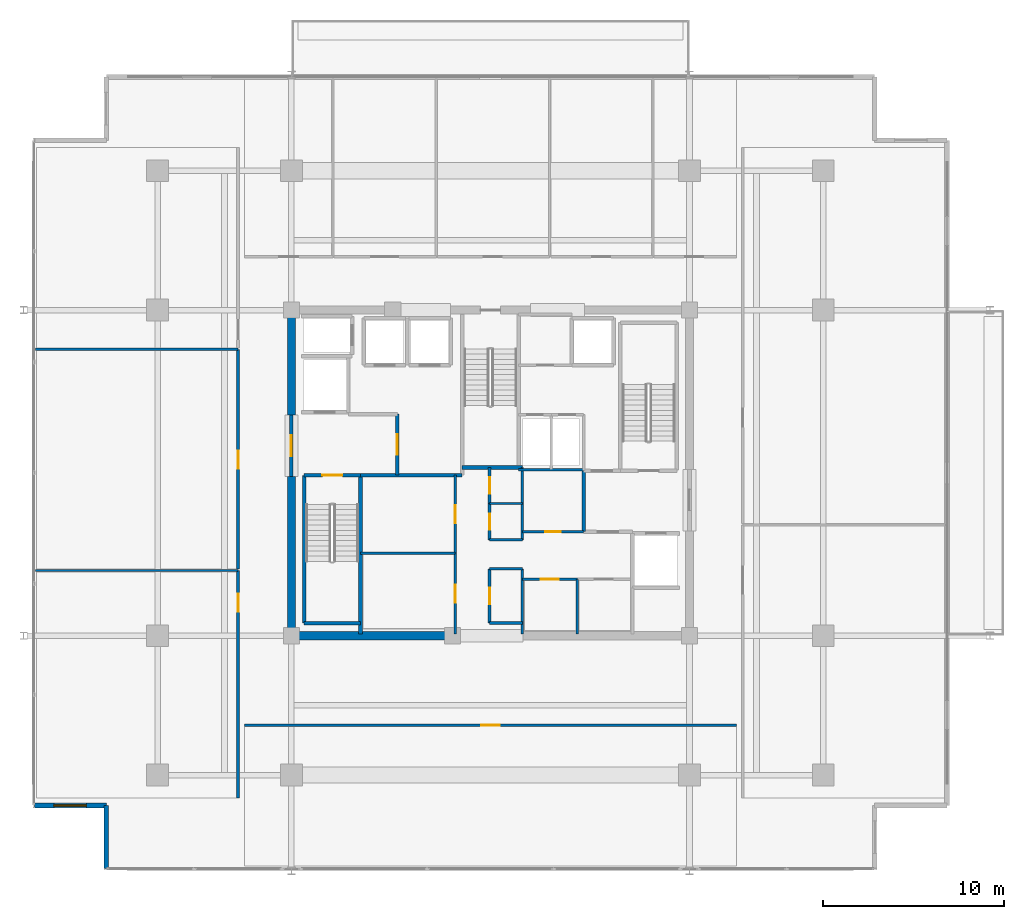
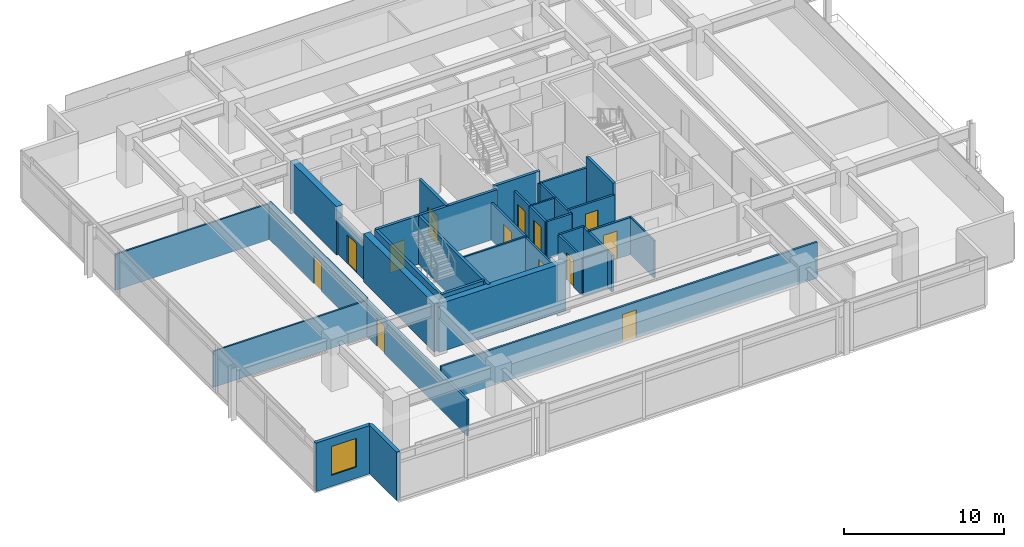
# One storey, part 13 of 20: 35 walls, 13 doors, 1 window, 14 openings.
"""IFC4 building model written with IfcOpenShell, lengths in metres."""

from ifc_helpers import new_model, si_unit, direction, frame, frame_2d, origin, place, context, subcontext, project, spatial, rectangle, extrude, material, layer, layer_set, type_object, element, fill, save


model = new_model("IFC4")

# Units and contexts
model_context = context("Model", 3, precision=1e-05, world=origin(), true_north=direction((0.0, 1.0)))
body_context = subcontext(model_context, "Body", "Model", "MODEL_VIEW")
ifc_project = project(units=[si_unit("LENGTHUNIT", "METRE"), si_unit("AREAUNIT", "SQUARE_METRE"), si_unit("VOLUMEUNIT", "CUBIC_METRE"), si_unit("PLANEANGLEUNIT", "RADIAN"), si_unit("MASSUNIT", "GRAM", prefix="KILO")], contexts=[model_context])

# Site, building, storey
site_placement = place(None, origin())
site = spatial("IfcSite", under=ifc_project, at=site_placement, CompositionType="ELEMENT")
building_placement = place(site_placement, origin())
building = spatial("IfcBuilding", under=site, at=building_placement, Name="Kovane Verandah Tower", CompositionType="ELEMENT")
storey_placement = place(building_placement, frame((0.0, 0.0, 291.199951171875)))
storey = spatial("IfcBuildingStorey", under=building, at=storey_placement, Name="L68", CompositionType="ELEMENT", Elevation=291.199951171875)

# Walls
ifc_material_1 = material(Name="Fire-Rated Gypsum Stud Partition", Category="gypsum")
ifc_layer_1 = layer(ifc_material_1, 0.14990234375)
ifc_layer_set_1 = layer_set([ifc_layer_1], Name="Fire-Rated Gypsum Stud Partition")
wall_type_1 = type_object("IfcWallType", Name="WL-COR-150", PredefinedType="PARTITIONING", material=ifc_layer_set_1)
for number, where, z_axis, x_axis, name in (
    (1, (39.949951171875, 19.199951171875, 0.0), (0.0, 0.0, 1.0), (1.0, 0.0, 0.0), "L68 Central Core Strip South Wall"),
    (2, (39.949951171875, 22.199951171875, 0.0), (0.0, 0.0, 1.0), (1.0, 0.0, 0.0), "L68 Core Cross-Passage South Wall"),
    (3, (39.949951171875, 23.800048828125, 0.0), (0.0, 0.0, 1.0), (1.0, 0.0, 0.0), "L68 Core Cross-Passage North Wall"),
):
    element("IfcWall", number, at=place(storey_placement, frame(where, z_axis=z_axis, x_axis=x_axis)), inside=storey, type_object=wall_type_1, Name=name, PredefinedType="PARTITIONING", context=body_context, shape_type="SweptSolid", body=[
        extrude(rectangle(XDim=1.81005859375, YDim=0.14990234375, at=frame_2d((0.905029296875, 0.0))), origin(), (0.0, 0.0, 1.0), 2.85009765625),
    ])
wall_1_placement = place(storey_placement, frame((41.760009765625, 18.60009765625, 0.0), z_axis=(0.0, 0.0, 1.0), x_axis=(0.0, 1.0, 0.0)))
element("IfcWall", 4, at=wall_1_placement, inside=storey, type_object=wall_type_1, Name="L68 Central Core Strip Lower East Wall", PredefinedType="PARTITIONING", context=body_context, shape_type="SweptSolid", body=[
    extrude(rectangle(XDim=3.599853515625, YDim=0.14990234375, at=frame_2d((1.7998046875, 0.0))), origin(), (0.0, 0.0, 1.0), 2.780029296875),
])
wall_2_placement = place(storey_placement, frame((41.760009765625, 23.800048828125, 0.0), z_axis=(0.0, 0.0, 1.0), x_axis=(0.0, 1.0, 0.0)))
element("IfcWall", 5, at=wall_2_placement, inside=storey, type_object=wall_type_1, Name="L68 Central Core Strip Upper East Wall", PredefinedType="PARTITIONING", context=body_context, shape_type="SweptSolid", body=[
    extrude(rectangle(XDim=4.0, YDim=0.14990234375, at=frame_2d((2.0, 0.0))), origin(), (0.0, 0.0, 1.0), 2.85009765625),
])

# Wall, opening, door
wall_3_placement = place(storey_placement, frame((39.949951171875, 19.199951171875, 0.0), z_axis=(0.0, 0.0, 1.0), x_axis=(0.0, 1.0, 0.0)))
wall_3 = element("IfcWall", 6, at=wall_3_placement, inside=storey, type_object=wall_type_1, Name="L68 Male Toilet Partition", PredefinedType="PARTITIONING", context=body_context, shape_type="SweptSolid", body=[
    extrude(rectangle(XDim=3.0, YDim=0.14990234375, at=frame_2d((1.5, 0.0))), origin(), (0.0, 0.0, 1.0), 2.85009765625),
])
opening_1_placement = place(wall_3_placement, frame((1.050048828125, 0.0, 0.0)))
opening_1 = element("IfcOpeningElement", 7, at=opening_1_placement, cuts=wall_3, Name="Opening DR-L68-029", PredefinedType="OPENING", context=body_context, shape_type="SweptSolid", body=[
    extrude(rectangle(XDim=0.89990234375, YDim=2.10009765625, at=frame_2d((0.449951171875, 1.050048828125))), frame((0.0, 0.074951171875, 0.0), z_axis=(0.0, -1.0, 0.0), x_axis=(1.0, 0.0, 0.0)), (0.0, 0.0, 1.0), 0.14990234375),
])
ifc_material_2 = material(Name="Moisture-Resistant Laminate Washroom Door", Category="wood")
door_type_1 = type_object("IfcDoorType", Name="DR-WC-900", OperationType="SINGLE_SWING_LEFT", PredefinedType="DOOR", material=ifc_material_2)
door_1_placement = place(opening_1_placement, origin())
door_1 = element("IfcDoor", 8, at=door_1_placement, inside=storey, type_object=door_type_1, Name="L68 Male Toilet Door", OperationType="SINGLE_SWING_RIGHT", OverallHeight=2.10009765625, OverallWidth=0.89990234375, PredefinedType="DOOR", context=body_context, shape_type="SweptSolid", body=[
    extrude(rectangle(XDim=0.89990234375, YDim=2.10009765625, at=frame_2d((0.449951171875, 1.050048828125))), frame((0.0, 0.02490234375, 0.0), z_axis=(0.0, -1.0, 0.0), x_axis=(1.0, 0.0, 0.0)), (0.0, 0.0, 1.0), 0.050048828125),
])
fill(opening_1, door_1)

wall_4_placement = place(storey_placement, frame((39.949951171875, 23.800048828125, 0.0), z_axis=(0.0, 0.0, 1.0), x_axis=(0.0, 1.0, 0.0)))
wall_4 = element("IfcWall", 9, at=wall_4_placement, inside=storey, type_object=wall_type_1, Name="L68 Female Toilet Partition", PredefinedType="PARTITIONING", context=body_context, shape_type="SweptSolid", body=[
    extrude(rectangle(XDim=2.0, YDim=0.14990234375, at=frame_2d((1.0, 0.0))), origin(), (0.0, 0.0, 1.0), 2.85009765625),
])
opening_2_placement = place(wall_4_placement, frame((0.550048828125, 0.0, 0.0)))
opening_2 = element("IfcOpeningElement", 10, at=opening_2_placement, cuts=wall_4, Name="Opening DR-L68-028", PredefinedType="OPENING", context=body_context, shape_type="SweptSolid", body=[
    extrude(rectangle(XDim=0.89990234375, YDim=2.10009765625, at=frame_2d((0.449951171875, 1.050048828125))), frame((0.0, 0.074951171875, 0.0), z_axis=(0.0, -1.0, 0.0), x_axis=(1.0, 0.0, 0.0)), (0.0, 0.0, 1.0), 0.14990234375),
])
door_2_placement = place(opening_2_placement, origin())
door_2 = element("IfcDoor", 11, at=door_2_placement, inside=storey, type_object=door_type_1, Name="L68 Female Toilet Door", OperationType="SINGLE_SWING_LEFT", OverallHeight=2.10009765625, OverallWidth=0.89990234375, PredefinedType="DOOR", context=body_context, shape_type="SweptSolid", body=[
    extrude(rectangle(XDim=0.89990234375, YDim=2.10009765625, at=frame_2d((0.449951171875, 1.050048828125))), frame((0.0, 0.02490234375, 0.0), z_axis=(0.0, -1.0, 0.0), x_axis=(1.0, 0.0, 0.0)), (0.0, 0.0, 1.0), 0.050048828125),
])
fill(opening_2, door_2)

wall_5_placement = place(storey_placement, frame((39.949951171875, 25.800048828125, 0.0), z_axis=(0.0, 0.0, 1.0), x_axis=(0.0, 1.0, 0.0)))
wall_5 = element("IfcWall", 12, at=wall_5_placement, inside=storey, type_object=wall_type_1, Name="L68 Accessible Unisex Toilet Partition", PredefinedType="PARTITIONING", context=body_context, shape_type="SweptSolid", body=[
    extrude(rectangle(XDim=2.0, YDim=0.14990234375, at=frame_2d((1.0, 0.0))), origin(), (0.0, 0.0, 1.0), 2.85009765625),
])
opening_3_placement = place(wall_5_placement, frame((0.550048828125, 0.0, 0.0)))
opening_3 = element("IfcOpeningElement", 13, at=opening_3_placement, cuts=wall_5, Name="Opening DR-L68-027", PredefinedType="OPENING", context=body_context, shape_type="SweptSolid", body=[
    extrude(rectangle(XDim=0.89990234375, YDim=2.10009765625, at=frame_2d((0.449951171875, 1.050048828125))), frame((0.0, 0.074951171875, 0.0), z_axis=(0.0, -1.0, 0.0), x_axis=(1.0, 0.0, 0.0)), (0.0, 0.0, 1.0), 0.14990234375),
])
door_3_placement = place(opening_3_placement, origin())
door_3 = element("IfcDoor", 14, at=door_3_placement, inside=storey, type_object=door_type_1, Name="L68 Accessible Unisex Toilet Door", OperationType="SINGLE_SWING_RIGHT", OverallHeight=2.10009765625, OverallWidth=0.89990234375, PredefinedType="DOOR", context=body_context, shape_type="SweptSolid", body=[
    extrude(rectangle(XDim=0.89990234375, YDim=2.10009765625, at=frame_2d((0.449951171875, 1.050048828125))), frame((0.0, 0.02490234375, 0.0), z_axis=(0.0, -1.0, 0.0), x_axis=(1.0, 0.0, 0.0)), (0.0, 0.0, 1.0), 0.050048828125),
])
fill(opening_3, door_3)

wall_6_placement = place(storey_placement, frame((38.050048828125, 18.60009765625, 0.0), z_axis=(0.0, 0.0, 1.0), x_axis=(0.0, 1.0, 0.0)))
wall_6 = element("IfcWall", 15, at=wall_6_placement, inside=storey, type_object=wall_type_1, Name="L68 IT Server Room Partition", PredefinedType="PARTITIONING", context=body_context, shape_type="SweptSolid", body=[
    extrude(rectangle(XDim=4.4599609375, YDim=0.14990234375, at=frame_2d((2.22998046875, 0.0))), origin(), (0.0, 0.0, 1.0), 2.780029296875),
])
opening_4_placement = place(wall_6_placement, frame((1.72998046875, 0.0, 0.0)))
opening_4 = element("IfcOpeningElement", 16, at=opening_4_placement, cuts=wall_6, Name="Opening DR-L68-013", PredefinedType="OPENING", context=body_context, shape_type="SweptSolid", body=[
    extrude(rectangle(XDim=1.0, YDim=2.14990234375, at=frame_2d((0.5, 1.074951171875))), frame((0.0, 0.074951171875, 0.0), z_axis=(0.0, -1.0, 0.0), x_axis=(1.0, 0.0, 0.0)), (0.0, 0.0, 1.0), 0.14990234375),
])
ifc_material_3 = material(Name="FSC Spotted-Gum Timber Fire-Rated Office Door", Category="wood")
door_type_2 = type_object("IfcDoorType", Name="DR-OFF-1000", OperationType="SINGLE_SWING_LEFT", PredefinedType="DOOR", material=ifc_material_3)
door_4_placement = place(opening_4_placement, origin())
door_4 = element("IfcDoor", 17, at=door_4_placement, inside=storey, type_object=door_type_2, Name="L68 IT Server Room Door", OperationType="SINGLE_SWING_LEFT", OverallHeight=2.14990234375, OverallWidth=1.0, PredefinedType="DOOR", context=body_context, shape_type="SweptSolid", body=[
    extrude(rectangle(XDim=1.0, YDim=2.14990234375, at=frame_2d((0.5, 1.074951171875))), frame((0.0, 0.02490234375, 0.0), z_axis=(0.0, -1.0, 0.0), x_axis=(1.0, 0.0, 0.0)), (0.0, 0.0, 1.0), 0.050048828125),
])
fill(opening_4, door_4)

wall_7_placement = place(storey_placement, frame((38.050048828125, 23.06005859375, 0.0), z_axis=(0.0, 0.0, 1.0), x_axis=(0.0, 1.0, 0.0)))
wall_7 = element("IfcWall", 18, at=wall_7_placement, inside=storey, type_object=wall_type_1, Name="L68 Telecom MDF Room Partition", PredefinedType="PARTITIONING", context=body_context, shape_type="SweptSolid", body=[
    extrude(rectangle(XDim=4.31982421875, YDim=0.14990234375, at=frame_2d((2.159912109375, 0.0))), origin(), (0.0, 0.0, 1.0), 2.85009765625),
])
opening_5_placement = place(wall_7_placement, frame((1.659912109375, 0.0, 0.0)))
opening_5 = element("IfcOpeningElement", 19, at=opening_5_placement, cuts=wall_7, Name="Opening DR-L68-014", PredefinedType="OPENING", context=body_context, shape_type="SweptSolid", body=[
    extrude(rectangle(XDim=1.0, YDim=2.14990234375, at=frame_2d((0.5, 1.074951171875))), frame((0.0, 0.074951171875, 0.0), z_axis=(0.0, -1.0, 0.0), x_axis=(1.0, 0.0, 0.0)), (0.0, 0.0, 1.0), 0.14990234375),
])
door_5_placement = place(opening_5_placement, origin())
door_5 = element("IfcDoor", 20, at=door_5_placement, inside=storey, type_object=door_type_2, Name="L68 Telecom MDF Room Door", OperationType="SINGLE_SWING_RIGHT", OverallHeight=2.14990234375, OverallWidth=1.0, PredefinedType="DOOR", context=body_context, shape_type="SweptSolid", body=[
    extrude(rectangle(XDim=1.0, YDim=2.14990234375, at=frame_2d((0.5, 1.074951171875))), frame((0.0, 0.02490234375, 0.0), z_axis=(0.0, -1.0, 0.0), x_axis=(1.0, 0.0, 0.0)), (0.0, 0.0, 1.0), 0.050048828125),
])
fill(opening_5, door_5)

# Wall
wall_8_placement = place(storey_placement, frame((41.56005859375, 27.679931640625, 0.0), z_axis=(0.0, 0.0, 1.0), x_axis=(1.0, 0.0, 0.0)))
element("IfcWall", 21, at=wall_8_placement, inside=storey, type_object=wall_type_1, Name="L68 East Core Service Riser South Wall", PredefinedType="PARTITIONING", context=body_context, shape_type="SweptSolid", body=[
    extrude(rectangle(XDim=3.58984375, YDim=0.14990234375, at=frame_2d((1.794921875, 0.0))), origin(), (0.0, 0.0, 1.0), 2.85009765625),
])

# Wall, opening, door
wall_9_placement = place(storey_placement, frame((41.760009765625, 21.6201171875, 0.0), z_axis=(0.0, 0.0, 1.0), x_axis=(1.0, 0.0, 0.0)))
wall_9 = element("IfcWall", 22, at=wall_9_placement, inside=storey, type_object=wall_type_1, Name="L68 AV Control Room Partition", PredefinedType="PARTITIONING", context=body_context, shape_type="SweptSolid", body=[
    extrude(rectangle(XDim=3.0400390625, YDim=0.14990234375, at=frame_2d((1.52001953125, 0.0))), origin(), (0.0, 0.0, 1.0), 2.85009765625),
])
opening_6_placement = place(wall_9_placement, frame((1.02001953125, 0.0, 0.0)))
opening_6 = element("IfcOpeningElement", 23, at=opening_6_placement, cuts=wall_9, Name="Opening DR-L68-015", PredefinedType="OPENING", context=body_context, shape_type="SweptSolid", body=[
    extrude(rectangle(XDim=1.0, YDim=2.14990234375, at=frame_2d((0.5, 1.074951171875))), frame((0.0, 0.074951171875, 0.0), z_axis=(0.0, -1.0, 0.0), x_axis=(1.0, 0.0, 0.0)), (0.0, 0.0, 1.0), 0.14990234375),
])
door_6_placement = place(opening_6_placement, origin())
door_6 = element("IfcDoor", 24, at=door_6_placement, inside=storey, type_object=door_type_2, Name="L68 AV Control Room Door", OperationType="SINGLE_SWING_LEFT", OverallHeight=2.14990234375, OverallWidth=1.0, PredefinedType="DOOR", context=body_context, shape_type="SweptSolid", body=[
    extrude(rectangle(XDim=1.0, YDim=2.14990234375, at=frame_2d((0.5, 1.074951171875))), frame((0.0, 0.02490234375, 0.0), z_axis=(0.0, -1.0, 0.0), x_axis=(1.0, 0.0, 0.0)), (0.0, 0.0, 1.0), 0.050048828125),
])
fill(opening_6, door_6)

wall_10_placement = place(storey_placement, frame((41.760009765625, 24.25, 0.0), z_axis=(0.0, 0.0, 1.0), x_axis=(1.0, 0.0, 0.0)))
wall_10 = element("IfcWall", 25, at=wall_10_placement, inside=storey, type_object=wall_type_1, Name="L68 Cleaner Store Partition", PredefinedType="PARTITIONING", context=body_context, shape_type="SweptSolid", body=[
    extrude(rectangle(XDim=3.389892578125, YDim=0.14990234375, at=frame_2d((1.69482421875, 0.0))), origin(), (0.0, 0.0, 1.0), 2.85009765625),
])
opening_7_placement = place(wall_10_placement, frame((1.2548828125, 0.0, 0.0)))
opening_7 = element("IfcOpeningElement", 26, at=opening_7_placement, cuts=wall_10, Name="Opening DR-L68-017", PredefinedType="OPENING", context=body_context, shape_type="SweptSolid", body=[
    extrude(rectangle(XDim=0.8798828125, YDim=2.10009765625, at=frame_2d((0.43994140625, 1.050048828125))), frame((0.0, 0.074951171875, 0.0), z_axis=(0.0, -1.0, 0.0), x_axis=(1.0, 0.0, 0.0)), (0.0, 0.0, 1.0), 0.14990234375),
])
ifc_material_4 = material(Name="Fire-Rated Steel Riser Access Door", Category="steel")
door_type_3 = type_object("IfcDoorType", Name="DR-RISER-880", OperationType="SINGLE_SWING_LEFT", PredefinedType="DOOR", material=ifc_material_4)
door_7_placement = place(opening_7_placement, origin())
door_7 = element("IfcDoor", 27, at=door_7_placement, inside=storey, type_object=door_type_3, Name="L68 Cleaner Store Door", OperationType="SINGLE_SWING_LEFT", OverallHeight=2.10009765625, OverallWidth=0.8798828125, PredefinedType="DOOR", context=body_context, shape_type="SweptSolid", body=[
    extrude(rectangle(XDim=0.8798828125, YDim=2.10009765625, at=frame_2d((0.43994140625, 1.050048828125))), frame((0.0, 0.02490234375, 0.0), z_axis=(0.0, -1.0, 0.0), x_axis=(1.0, 0.0, 0.0)), (0.0, 0.0, 1.0), 0.050048828125),
])
fill(opening_7, door_7)

wall_11_placement = place(storey_placement, frame((26.39990234375, 13.550048828125, 0.0), z_axis=(0.0, 0.0, 1.0), x_axis=(1.0, 0.0, 0.0)))
wall_11 = element("IfcWall", 28, at=wall_11_placement, inside=storey, type_object=wall_type_1, Name="L68 Collaboration Hub S1 Corridor Partition", PredefinedType="PARTITIONING", context=body_context, shape_type="SweptSolid", body=[
    extrude(rectangle(XDim=27.2001953125, YDim=0.14990234375, at=frame_2d((13.60009765625, 0.0))), origin(), (0.0, 0.0, 1.0), 2.75341796875),
])
opening_8_placement = place(wall_11_placement, frame((13.10009765625, 0.0, 0.0)))
opening_8 = element("IfcOpeningElement", 29, at=opening_8_placement, cuts=wall_11, Name="Opening DR-L68-026", PredefinedType="OPENING", context=body_context, shape_type="SweptSolid", body=[
    extrude(rectangle(XDim=1.0, YDim=2.14990234375, at=frame_2d((0.5, 1.074951171875))), frame((0.0, 0.074951171875, 0.0), z_axis=(0.0, -1.0, 0.0), x_axis=(1.0, 0.0, 0.0)), (0.0, 0.0, 1.0), 0.14990234375),
])
door_8_placement = place(opening_8_placement, origin())
door_8 = element("IfcDoor", 30, at=door_8_placement, inside=storey, type_object=door_type_2, Name="L68 Collaboration Hub S1 Entrance Door", OperationType="SINGLE_SWING_RIGHT", OverallHeight=2.14990234375, OverallWidth=1.0, PredefinedType="DOOR", context=body_context, shape_type="SweptSolid", body=[
    extrude(rectangle(XDim=1.0, YDim=2.14990234375, at=frame_2d((0.5, 1.074951171875))), frame((0.0, 0.02490234375, 0.0), z_axis=(0.0, -1.0, 0.0), x_axis=(1.0, 0.0, 0.0)), (0.0, 0.0, 1.0), 0.050048828125),
])
fill(opening_8, door_8)

wall_12_placement = place(storey_placement, frame((26.050048828125, 9.519287109375, 0.0), z_axis=(0.0, 0.0, 1.0), x_axis=(0.0, 1.0, 0.0)))
wall_12 = element("IfcWall", 31, at=wall_12_placement, inside=storey, type_object=wall_type_1, Name="L68 Document and Print Room W1 Corridor Partition", PredefinedType="PARTITIONING", context=body_context, shape_type="SweptSolid", body=[
    extrude(rectangle(XDim=12.58642578125, YDim=0.14990234375, at=frame_2d((6.293212890625, 0.0))), origin(), (0.0, 0.0, 1.0), 2.75341796875),
])
opening_9_placement = place(wall_12_placement, frame((10.298583984375, 0.0, 0.0)))
opening_9 = element("IfcOpeningElement", 32, at=opening_9_placement, cuts=wall_12, Name="Opening DR-L68-030", PredefinedType="OPENING", context=body_context, shape_type="SweptSolid", body=[
    extrude(rectangle(XDim=1.0, YDim=2.14990234375, at=frame_2d((0.5, 1.074951171875))), frame((0.0, 0.074951171875, 0.0), z_axis=(0.0, -1.0, 0.0), x_axis=(1.0, 0.0, 0.0)), (0.0, 0.0, 1.0), 0.14990234375),
])
door_9_placement = place(opening_9_placement, origin())
door_9 = element("IfcDoor", 33, at=door_9_placement, inside=storey, type_object=door_type_2, Name="L68 Document and Print Room W1 Entrance Door", OperationType="SINGLE_SWING_LEFT", OverallHeight=2.14990234375, OverallWidth=1.0, PredefinedType="DOOR", context=body_context, shape_type="SweptSolid", body=[
    extrude(rectangle(XDim=1.0, YDim=2.14990234375, at=frame_2d((0.5, 1.074951171875))), frame((0.0, 0.02490234375, 0.0), z_axis=(0.0, -1.0, 0.0), x_axis=(1.0, 0.0, 0.0)), (0.0, 0.0, 1.0), 0.050048828125),
])
fill(opening_9, door_9)

wall_13_placement = place(storey_placement, frame((26.050048828125, 22.17578125, 0.0), z_axis=(0.0, 0.0, 1.0), x_axis=(0.0, 1.0, 0.0)))
wall_13 = element("IfcWall", 34, at=wall_13_placement, inside=storey, type_object=wall_type_1, Name="L68 Open Plan Office W2 Corridor Partition", PredefinedType="PARTITIONING", context=body_context, shape_type="SweptSolid", body=[
    extrude(rectangle(XDim=12.15673828125, YDim=0.14990234375, at=frame_2d((6.078369140625, 0.0))), origin(), (0.0, 0.0, 1.0), 2.85009765625),
])
opening_10_placement = place(wall_13_placement, frame((5.54345703125, 0.0, 0.0)))
opening_10 = element("IfcOpeningElement", 35, at=opening_10_placement, cuts=wall_13, Name="Opening DR-L68-031", PredefinedType="OPENING", context=body_context, shape_type="SweptSolid", body=[
    extrude(rectangle(XDim=1.0, YDim=2.14990234375, at=frame_2d((0.5, 1.074951171875))), frame((0.0, 0.074951171875, 0.0), z_axis=(0.0, -1.0, 0.0), x_axis=(1.0, 0.0, 0.0)), (0.0, 0.0, 1.0), 0.14990234375),
])
door_10_placement = place(opening_10_placement, origin())
door_10 = element("IfcDoor", 36, at=door_10_placement, inside=storey, type_object=door_type_2, Name="L68 Open Plan Office W2 Entrance Door", OperationType="SINGLE_SWING_RIGHT", OverallHeight=2.14990234375, OverallWidth=1.0, PredefinedType="DOOR", context=body_context, shape_type="SweptSolid", body=[
    extrude(rectangle(XDim=1.0, YDim=2.14990234375, at=frame_2d((0.5, 1.074951171875))), frame((0.0, 0.02490234375, 0.0), z_axis=(0.0, -1.0, 0.0), x_axis=(1.0, 0.0, 0.0)), (0.0, 0.0, 1.0), 0.050048828125),
])
fill(opening_10, door_10)

# Walls
ifc_material_5 = material(Name="Concrete C60/75", Category="concrete")
ifc_layer_2 = layer(ifc_material_5, 0.449951171875)
ifc_layer_set_2 = layer_set([ifc_layer_2], Name="Concrete C60/75")
wall_type_2 = type_object("IfcWallType", Name="WL-CORE-450", PredefinedType="SHEAR", material=ifc_layer_set_2)
wall_14_placement = place(storey_placement, frame((29.0, 18.5, 0.0), z_axis=(0.0, 0.0, 1.0), x_axis=(1.0, 0.0, 0.0)))
element("IfcWall", 37, at=wall_14_placement, inside=storey, type_object=wall_type_2, Name="L68 Core Shear Wall CS-1", PredefinedType="SHEAR", context=body_context, shape_type="SweptSolid", body=[
    extrude(rectangle(XDim=9.199951171875, YDim=0.449951171875, at=frame_2d((4.60009765625, 0.0))), origin(), (0.0, 0.0, 1.0), 3.699951171875),
])
wall_15_placement = place(storey_placement, frame((29.0, 18.5, 0.0), z_axis=(0.0, 0.0, 1.0), x_axis=(0.0, 1.0, 0.0)))
element("IfcWall", 38, at=wall_15_placement, inside=storey, type_object=wall_type_2, Name="L68 Core Shear Wall CW-1", PredefinedType="SHEAR", context=body_context, shape_type="SweptSolid", body=[
    extrude(rectangle(XDim=8.800048828125, YDim=0.449951171875, at=frame_2d((4.39990234375, 0.0))), origin(), (0.0, 0.0, 1.0), 3.699951171875),
])
wall_16_placement = place(storey_placement, frame((29.0, 30.699951171875, 0.0), z_axis=(0.0, 0.0, 1.0), x_axis=(0.0, 1.0, 0.0)))
element("IfcWall", 39, at=wall_16_placement, inside=storey, type_object=wall_type_2, Name="L68 Core Shear Wall CW-2", PredefinedType="SHEAR", context=body_context, shape_type="SweptSolid", body=[
    extrude(rectangle(XDim=5.800048828125, YDim=0.449951171875, at=frame_2d((2.89990234375, 0.0))), origin(), (0.0, 0.0, 1.0), 3.699951171875),
])

# Wall, opening, door
ifc_material_6 = material(Name="Concrete C45/55 Fire Wall", Category="concrete")
ifc_layer_3 = layer(ifc_material_6, 0.199951171875)
ifc_layer_set_3 = layer_set([ifc_layer_3], Name="Concrete C45/55 Fire Wall")
wall_type_3 = type_object("IfcWallType", Name="WL-FFL-200", PredefinedType="PARTITIONING", material=ifc_layer_set_3)
wall_17_placement = place(storey_placement, frame((34.85009765625, 27.3798828125, 0.0), z_axis=(0.0, 0.0, 1.0), x_axis=(0.0, 1.0, 0.0)))
wall_17 = element("IfcWall", 40, at=wall_17_placement, inside=storey, type_object=wall_type_3, Name="W-L68-FFLW-E", PredefinedType="PARTITIONING", context=body_context, shape_type="SweptSolid", body=[
    extrude(rectangle(XDim=3.3701171875, YDim=0.199951171875, at=frame_2d((1.68505859375, 0.0))), origin(), (0.0, 0.0, 1.0), 3.699951171875),
])
opening_11_placement = place(wall_17_placement, frame((1.110107421875, 0.0, 0.0)))
opening_11 = element("IfcOpeningElement", 41, at=opening_11_placement, cuts=wall_17, Name="Opening DR-L68-006", PredefinedType="OPENING", context=body_context, shape_type="SweptSolid", body=[
    extrude(rectangle(XDim=1.14990234375, YDim=2.199951171875, at=frame_2d((0.574951171875, 1.10009765625))), frame((0.0, 0.10009765625, 0.0), z_axis=(0.0, -1.0, 0.0), x_axis=(1.0, 0.0, 0.0)), (0.0, 0.0, 1.0), 0.199951171875),
])
ifc_material_7 = material(Name="Smoke-Sealed Firefighting Lobby Door", Category="steel")
door_type_4 = type_object("IfcDoorType", Name="DR-FFL-1150", OperationType="SINGLE_SWING_LEFT", PredefinedType="DOOR", material=ifc_material_7)
door_11_placement = place(opening_11_placement, origin())
door_11 = element("IfcDoor", 42, at=door_11_placement, inside=storey, type_object=door_type_4, Name="L68 West Firefighting Lobby Inner Door", OperationType="SINGLE_SWING_LEFT", OverallHeight=2.199951171875, OverallWidth=1.14990234375, PredefinedType="DOOR", context=body_context, shape_type="SweptSolid", body=[
    extrude(rectangle(XDim=1.14990234375, YDim=2.199951171875, at=frame_2d((0.574951171875, 1.10009765625))), frame((0.0, 0.02490234375, 0.0), z_axis=(0.0, -1.0, 0.0), x_axis=(1.0, 0.0, 0.0)), (0.0, 0.0, 1.0), 0.050048828125),
])
fill(opening_11, door_11)

wall_18_placement = place(storey_placement, frame((29.0, 27.300048828125, 0.0), z_axis=(0.0, 0.0, 1.0), x_axis=(0.0, 1.0, 0.0)))
wall_18 = element("IfcWall", 43, at=wall_18_placement, inside=storey, type_object=wall_type_3, Name="W-L68-FFLW-OUT", PredefinedType="PARTITIONING", context=body_context, shape_type="SweptSolid", body=[
    extrude(rectangle(XDim=3.39990234375, YDim=0.199951171875, at=frame_2d((1.699951171875, 0.0))), origin(), (0.0, 0.0, 1.0), 2.780029296875),
])
opening_12_placement = place(wall_18_placement, frame((1.125, 0.0, 0.0)))
opening_12 = element("IfcOpeningElement", 44, at=opening_12_placement, cuts=wall_18, Name="Opening DR-L68-007", PredefinedType="OPENING", context=body_context, shape_type="SweptSolid", body=[
    extrude(rectangle(XDim=1.14990234375, YDim=2.199951171875, at=frame_2d((0.574951171875, 1.10009765625))), frame((0.0, 0.10009765625, 0.0), z_axis=(0.0, -1.0, 0.0), x_axis=(1.0, 0.0, 0.0)), (0.0, 0.0, 1.0), 0.199951171875),
])
door_12_placement = place(opening_12_placement, origin())
door_12 = element("IfcDoor", 45, at=door_12_placement, inside=storey, type_object=door_type_4, Name="L68 West Firefighting Lobby Corridor Door", OperationType="SINGLE_SWING_RIGHT", OverallHeight=2.199951171875, OverallWidth=1.14990234375, PredefinedType="DOOR", context=body_context, shape_type="SweptSolid", body=[
    extrude(rectangle(XDim=1.14990234375, YDim=2.199951171875, at=frame_2d((0.574951171875, 1.10009765625))), frame((0.0, 0.02490234375, 0.0), z_axis=(0.0, -1.0, 0.0), x_axis=(1.0, 0.0, 0.0)), (0.0, 0.0, 1.0), 0.050048828125),
])
fill(opening_12, door_12)

# Walls
wall_19_placement = place(storey_placement, frame((32.820068359375, 27.3798828125, 0.0), z_axis=(0.0, 0.0, 1.0), x_axis=(1.0, 0.0, 0.0)))
element("IfcWall", 46, at=wall_19_placement, inside=storey, type_object=wall_type_3, Name="L68 West Firefighting Lobby South Fire Wall", PredefinedType="PARTITIONING", context=body_context, shape_type="SweptSolid", body=[
    extrude(rectangle(XDim=5.619873046875, YDim=0.199951171875, at=frame_2d((2.81005859375, 0.0))), origin(), (0.0, 0.0, 1.0), 3.699951171875),
])
wall_20_placement = place(storey_placement, frame((45.14990234375, 24.25, 0.0), z_axis=(0.0, 0.0, 1.0), x_axis=(0.0, 1.0, 0.0)))
element("IfcWall", 47, at=wall_20_placement, inside=storey, type_object=wall_type_3, Name="L68 East Firefighting Lobby West Fire Wall", PredefinedType="PARTITIONING", context=body_context, shape_type="SweptSolid", body=[
    extrude(rectangle(XDim=3.3701171875, YDim=0.199951171875, at=frame_2d((1.68505859375, 0.0))), origin(), (0.0, 0.0, 1.0), 3.699951171875),
])
ifc_material_8 = material(Name="Acoustic Fire-Rated Gypsum Partition", Category="gypsum")
ifc_layer_4 = layer(ifc_material_8, 0.1201171875)
ifc_layer_set_4 = layer_set([ifc_layer_4], Name="Acoustic Fire-Rated Gypsum Partition")
wall_type_4 = type_object("IfcWallType", Name="WL-PART-120", PredefinedType="PARTITIONING", material=ifc_layer_set_4)
wall_21_placement = place(storey_placement, frame((39.949951171875, 25.800048828125, 0.0), z_axis=(0.0, 0.0, 1.0), x_axis=(1.0, 0.0, 0.0)))
element("IfcWall", 48, at=wall_21_placement, inside=storey, type_object=wall_type_4, Name="L68 Central Core Strip Upper Dividing Partition", PredefinedType="PARTITIONING", context=body_context, shape_type="SweptSolid", body=[
    extrude(rectangle(XDim=1.81005859375, YDim=0.1201171875, at=frame_2d((0.905029296875, 0.0))), origin(), (0.0, 0.0, 1.0), 2.85009765625),
])
wall_22_placement = place(storey_placement, frame((32.820068359375, 23.06005859375, 0.0), z_axis=(0.0, 0.0, 1.0), x_axis=(1.0, 0.0, 0.0)))
element("IfcWall", 49, at=wall_22_placement, inside=storey, type_object=wall_type_4, Name="L68 Core Support Dividing Partition", PredefinedType="PARTITIONING", context=body_context, shape_type="SweptSolid", body=[
    extrude(rectangle(XDim=5.22998046875, YDim=0.1201171875, at=frame_2d((2.614990234375, 0.0))), origin(), (0.0, 0.0, 1.0), 2.85009765625),
])
wall_23_placement = place(storey_placement, frame((44.800048828125, 18.60009765625, 0.0), z_axis=(0.0, 0.0, 1.0), x_axis=(0.0, 1.0, 0.0)))
element("IfcWall", 50, at=wall_23_placement, inside=storey, type_object=wall_type_4, Name="L68 East Core Support Dividing Partition", PredefinedType="PARTITIONING", context=body_context, shape_type="SweptSolid", body=[
    extrude(rectangle(XDim=3.02001953125, YDim=0.1201171875, at=frame_2d((1.510009765625, 0.0))), origin(), (0.0, 0.0, 1.0), 2.85009765625),
])
for number, where, z_axis, x_axis, name in (
    (51, (14.868408203125, 22.105712890625, 0.0), (0.0, 0.0, 1.0), (1.0, 0.0, 0.0), "L68 Document and Print Room W1 Dividing Partition"),
    (52, (14.868408203125, 34.33251953125, 0.0), (0.0, 0.0, 1.0), (1.0, 0.0, 0.0), "L68 Open Plan Office W2 Dividing Partition"),
):
    element("IfcWall", number, at=place(storey_placement, frame(where, z_axis=z_axis, x_axis=x_axis)), inside=storey, type_object=wall_type_4, Name=name, PredefinedType="PARTITIONING", context=body_context, shape_type="SweptSolid", body=[
        extrude(rectangle(XDim=11.181640625, YDim=0.1201171875, at=frame_2d((5.5908203125, 0.0))), origin(), (0.0, 0.0, 1.0), 2.75341796875),
    ])
ifc_material_9 = material(Name="Concrete C45/55", Category="concrete")
ifc_layer_5 = layer(ifc_material_9, 0.199951171875)
ifc_layer_set_5 = layer_set([ifc_layer_5], Name="Concrete C45/55")
wall_type_5 = type_object("IfcWallType", Name="WL-SHAFT-200", PredefinedType="SOLIDWALL", material=ifc_layer_set_5)
wall_24_placement = place(storey_placement, frame((29.699951171875, 19.199951171875, 0.0), z_axis=(0.0, 0.0, 1.0), x_axis=(0.0, 1.0, 0.0)))
element("IfcWall", 53, at=wall_24_placement, inside=storey, type_object=wall_type_5, Name="W-L68-ST01-W", PredefinedType="SOLIDWALL", context=body_context, shape_type="SweptSolid", body=[
    extrude(rectangle(XDim=8.150146484375, YDim=0.199951171875, at=frame_2d((4.0751953125, 0.0))), origin(), (0.0, 0.0, 1.0), 3.699951171875),
])
wall_25_placement = place(storey_placement, frame((29.699951171875, 19.199951171875, 0.0), z_axis=(0.0, 0.0, 1.0), x_axis=(1.0, 0.0, 0.0)))
element("IfcWall", 54, at=wall_25_placement, inside=storey, type_object=wall_type_5, Name="W-L68-ST01-S", PredefinedType="SOLIDWALL", context=body_context, shape_type="SweptSolid", body=[
    extrude(rectangle(XDim=3.1201171875, YDim=0.199951171875, at=frame_2d((1.56005859375, 0.0))), origin(), (0.0, 0.0, 1.0), 3.699951171875),
])
wall_26_placement = place(storey_placement, frame((32.820068359375, 18.60009765625, 0.0), z_axis=(0.0, 0.0, 1.0), x_axis=(0.0, 1.0, 0.0)))
element("IfcWall", 55, at=wall_26_placement, inside=storey, type_object=wall_type_5, Name="W-L68-ST01-E", PredefinedType="SOLIDWALL", context=body_context, shape_type="SweptSolid", body=[
    extrude(rectangle(XDim=8.77978515625, YDim=0.199951171875, at=frame_2d((4.389892578125, 0.0))), origin(), (0.0, 0.0, 1.0), 3.699951171875),
])

# Wall, opening, door
wall_27_placement = place(storey_placement, frame((29.699951171875, 27.3798828125, 0.0), z_axis=(0.0, 0.0, 1.0), x_axis=(1.0, 0.0, 0.0)))
wall_27 = element("IfcWall", 56, at=wall_27_placement, inside=storey, type_object=wall_type_5, Name="W-L68-ST01-N", PredefinedType="SOLIDWALL", context=body_context, shape_type="SweptSolid", body=[
    extrude(rectangle(XDim=3.1201171875, YDim=0.199951171875, at=frame_2d((1.56005859375, 0.0))), origin(), (0.0, 0.0, 1.0), 3.699951171875),
])
opening_13_placement = place(wall_27_placement, frame((1.010009765625, 0.0, 0.0)))
opening_13 = element("IfcOpeningElement", 57, at=opening_13_placement, cuts=wall_27, Name="Opening DR-L68-008", PredefinedType="OPENING", context=body_context, shape_type="SweptSolid", body=[
    extrude(rectangle(XDim=1.10009765625, YDim=2.14990234375, at=frame_2d((0.550048828125, 1.074951171875))), frame((0.0, 0.10009765625, 0.0), z_axis=(0.0, -1.0, 0.0), x_axis=(1.0, 0.0, 0.0)), (0.0, 0.0, 1.0), 0.199951171875),
])
ifc_material_10 = material(Name="Fire-Rated Steel Exit Door", Category="steel")
door_type_5 = type_object("IfcDoorType", Name="DR-STAIR-1100", OperationType="SINGLE_SWING_LEFT", PredefinedType="DOOR", material=ifc_material_10)
door_13_placement = place(opening_13_placement, origin())
door_13 = element("IfcDoor", 58, at=door_13_placement, inside=storey, type_object=door_type_5, Name="L68 ST-01 Fire Exit Stair Door", OperationType="SINGLE_SWING_LEFT", OverallHeight=2.14990234375, OverallWidth=1.10009765625, PredefinedType="DOOR", context=body_context, shape_type="SweptSolid", body=[
    extrude(rectangle(XDim=1.10009765625, YDim=2.14990234375, at=frame_2d((0.550048828125, 1.074951171875))), frame((0.0, 0.02490234375, 0.0), z_axis=(0.0, -1.0, 0.0), x_axis=(1.0, 0.0, 0.0)), (0.0, 0.0, 1.0), 0.050048828125),
])
fill(opening_13, door_13)

# Wall
wall_28_placement = place(storey_placement, frame((38.43994140625, 27.800048828125, 0.0), z_axis=(0.0, 0.0, 1.0), x_axis=(1.0, 0.0, 0.0)))
element("IfcWall", 59, at=wall_28_placement, inside=storey, type_object=wall_type_5, Name="W-L68-ST03-S", PredefinedType="SOLIDWALL", context=body_context, shape_type="SweptSolid", body=[
    extrude(rectangle(XDim=3.320068359375, YDim=0.199951171875, at=frame_2d((1.66015625, 0.0))), origin(), (0.0, 0.0, 1.0), 3.699951171875),
])

# Wall, opening, window
ifc_material_11 = material(Name="Concrete C45/55 Insulated Spandrel Wall", Category="concrete")
ifc_layer_6 = layer(ifc_material_11, 0.260009765625)
ifc_layer_set_6 = layer_set([ifc_layer_6], Name="Concrete C45/55 Insulated Spandrel Wall")
wall_type_6 = type_object("IfcWallType", Name="WL-SPANDREL-260", PredefinedType="PARAPET", material=ifc_layer_set_6)
wall_29_placement = place(storey_placement, frame((14.768310546875, 9.119384765625, 0.0), z_axis=(0.0, 0.0, 1.0), x_axis=(1.0, 0.0, 0.0)))
wall_29 = element("IfcWall", 60, at=wall_29_placement, inside=storey, type_object=wall_type_6, Name="L68 SW Notch Cheek Wall 1", PredefinedType="PARAPET", context=body_context, shape_type="SweptSolid", body=[
    extrude(rectangle(XDim=4.0, YDim=0.260009765625, at=frame_2d((2.0, 0.0))), origin(), (0.0, 0.0, 1.0), 3.699951171875),
])
opening_14_placement = place(wall_29_placement, frame((1.10009765625, 0.0, 0.85009765625)))
opening_14 = element("IfcOpeningElement", 61, at=opening_14_placement, cuts=wall_29, Name="Opening W-03", PredefinedType="OPENING", context=body_context, shape_type="SweptSolid", body=[
    extrude(rectangle(XDim=1.800048828125, YDim=2.199951171875, at=frame_2d((0.89990234375, 1.10009765625))), frame((0.0, 0.1298828125, 0.0), z_axis=(0.0, -1.0, 0.0), x_axis=(1.0, 0.0, 0.0)), (0.0, 0.0, 1.0), 0.260009765625),
])
ifc_material_12 = material(Name="Clear Low-E Laminated Double Glazing in Anodised Frame", Category="glass")
window_type = type_object("IfcWindowType", Name="WN-NOTCH-1800x2200", PartitioningType="SINGLE_PANEL", PredefinedType="WINDOW", material=ifc_material_12)
window_placement = place(opening_14_placement, origin())
window = element("IfcWindow", 62, at=window_placement, inside=storey, type_object=window_type, Name="L68 SW Re-Entrant Corner Operable Window", OverallHeight=2.199951171875, OverallWidth=1.800048828125, PartitioningType="SINGLE_PANEL", PredefinedType="WINDOW", context=body_context, shape_type="SweptSolid", body=[
    extrude(rectangle(XDim=1.800048828125, YDim=2.199951171875, at=frame_2d((0.89990234375, 1.10009765625))), frame((0.0, 0.030029296875, 0.0), z_axis=(0.0, -1.0, 0.0), x_axis=(1.0, 0.0, 0.0)), (0.0, 0.0, 1.0), 0.06005859375),
])
fill(opening_14, window)

# Wall
wall_30_placement = place(storey_placement, frame((18.768310546875, 9.119384765625, 0.0), z_axis=(0.0, 0.0, 1.0), x_axis=(0.0, -1.0, 0.0)))
element("IfcWall", 63, at=wall_30_placement, inside=storey, type_object=wall_type_6, Name="L68 SW Notch Cheek Wall 2", PredefinedType="PARAPET", context=body_context, shape_type="SweptSolid", body=[
    extrude(rectangle(XDim=3.5, YDim=0.260009765625, at=frame_2d((1.75, 0.0))), origin(), (0.0, 0.0, 1.0), 3.699951171875),
])

save(model, "model.ifc")
